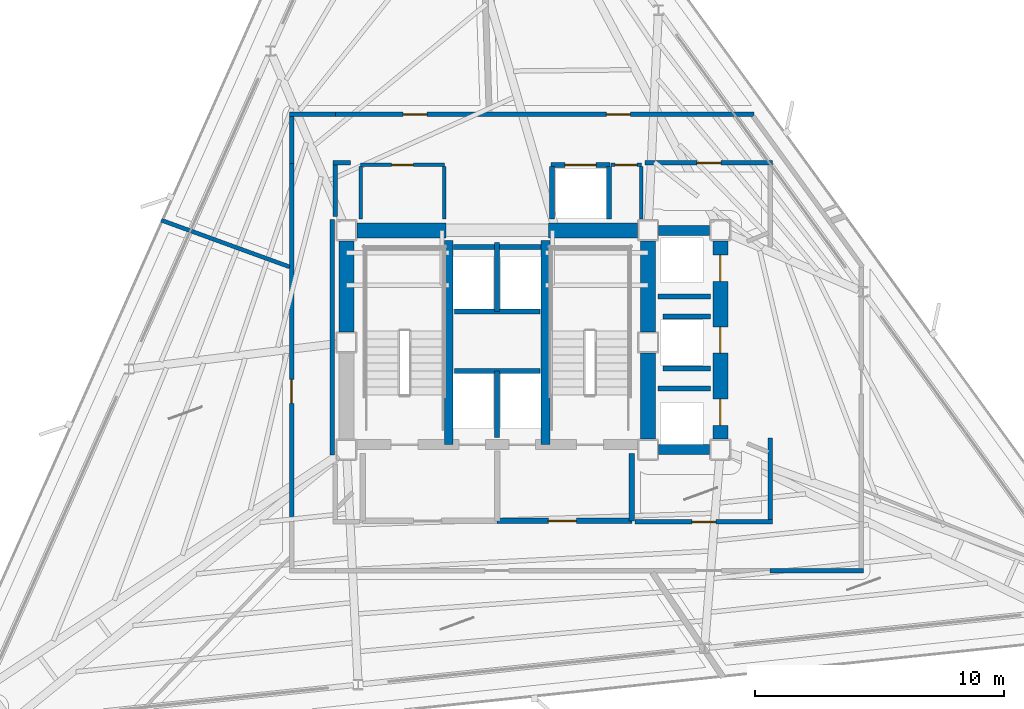
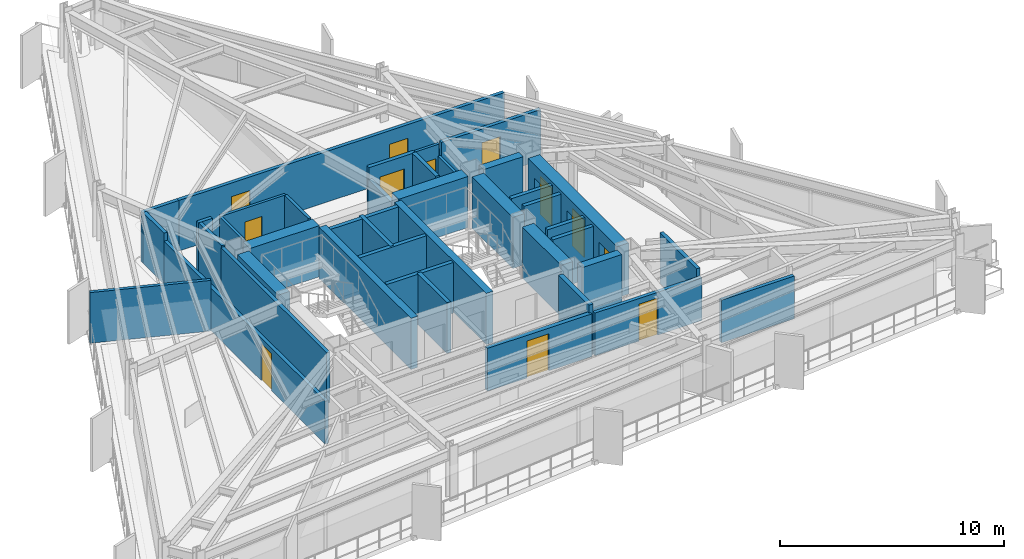
# One storey, part 8 of 13: 41 walls, 12 doors, 12 openings.
"""IFC4 building model written with IfcOpenShell, lengths in metres."""

from ifc_helpers import new_model, si_unit, direction, frame, frame_2d, origin, place, context, subcontext, project, spatial, rectangle, extrude, material, layer, layer_set, type_object, element, fill, save


model = new_model("IFC4")

# Units and contexts
model_context = context("Model", 3, precision=1e-05, world=origin(), true_north=direction((0.0, 1.0)))
body_context = subcontext(model_context, "Body", "Model", "MODEL_VIEW")
ifc_project = project(units=[si_unit("LENGTHUNIT", "METRE"), si_unit("AREAUNIT", "SQUARE_METRE"), si_unit("VOLUMEUNIT", "CUBIC_METRE"), si_unit("PLANEANGLEUNIT", "RADIAN"), si_unit("MASSUNIT", "GRAM", prefix="KILO")], contexts=[model_context])

# Site, building, storey
site_placement = place(None, origin())
site = spatial("IfcSite", under=ifc_project, at=site_placement, CompositionType="ELEMENT")
building_placement = place(site_placement, origin())
building = spatial("IfcBuilding", under=site, at=building_placement, Name="Rocaltana Carrier Exchange", CompositionType="ELEMENT")
storey_placement = place(building_placement, frame((0.0, 0.0, 119.840087890625)))
storey = spatial("IfcBuildingStorey", under=building, at=storey_placement, Name="L37", CompositionType="ELEMENT", Elevation=119.840087890625)

# Walls
ifc_material_1 = material(Name="Double Acoustic Gypsum Partition", Category="gypsum")
ifc_layer_1 = layer(ifc_material_1, 0.159912109375)
ifc_layer_set_1 = layer_set([ifc_layer_1], Name="Double Acoustic Gypsum Partition")
wall_type_1 = type_object("IfcWallType", Name="Acoustic Studio Partition 160 EI60", PredefinedType="PARTITIONING", material=ifc_layer_set_1)
wall_1_placement = place(storey_placement, frame((-8.330078125, 3.031982421875, 0.0), z_axis=(0.0, 0.0, 1.0), x_axis=(-0.939693198397, 0.342018556347, 0.0)))
element("IfcWall", 1, at=wall_1_placement, inside=storey, type_object=wall_type_1, Name="L37 Suite Divider Wall D10", PredefinedType="PARTITIONING", context=body_context, shape_type="SweptSolid", body=[
    extrude(rectangle(XDim=5.478515625, YDim=0.159912109375, at=frame_2d((2.7392578125, 0.0))), origin(), (0.0, 0.0, 1.0), 2.762939453125),
])
ifc_material_2 = material(Name="Concrete C50/60", Category="concrete")
ifc_layer_2 = layer(ifc_material_2, 0.35009765625)
ifc_layer_set_2 = layer_set([ifc_layer_2], Name="Concrete C50/60")
wall_type_2 = type_object("IfcWallType", Name="Core Internal Shear Wall 350", PredefinedType="SHEAR", material=ifc_layer_set_2)
for number, where, z_axis, x_axis, name in (
    (2, (-1.93994140625, -4.10009765625, 0.0), (0.0, 0.0, 1.0), (0.0, 1.0, 0.0), "L37 Core Shear Wall CW-STW"),
    (3, (1.93994140625, -4.10009765625, 0.0), (0.0, 0.0, 1.0), (0.0, 1.0, 0.0), "L37 Core Shear Wall CW-STE"),
):
    element("IfcWall", number, at=place(storey_placement, frame(where, z_axis=z_axis, x_axis=x_axis)), inside=storey, type_object=wall_type_2, Name=name, PredefinedType="SHEAR", context=body_context, shape_type="SweptSolid", body=[
        extrude(rectangle(XDim=8.2001953125, YDim=0.35009765625, at=frame_2d((4.10009765625, 0.0))), origin(), (0.0, 0.0, 1.0), 2.787841796875),
    ])
ifc_material_3 = material(Name="Concrete C50/60", Category="concrete")
ifc_layer_3 = layer(ifc_material_3, 0.39990234375)
ifc_layer_set_3 = layer_set([ifc_layer_3], Name="Concrete C50/60")
wall_type_3 = type_object("IfcWallType", Name="Core Internal Shear Wall 400", PredefinedType="SHEAR", material=ifc_layer_set_3)
for number, where, z_axis, x_axis, name in (
    (4, (6.47509765625, 4.5, 0.0), (0.0, 0.0, 1.0), (1.0, 0.0, 0.0), "L37 Core Shear Wall CW-EWN"),
    (5, (6.47509765625, -4.300048828125, 0.0), (0.0, 0.0, 1.0), (1.0, 0.0, 0.0), "L37 Core Shear Wall CW-EWS"),
):
    element("IfcWall", number, at=place(storey_placement, frame(where, z_axis=z_axis, x_axis=x_axis)), inside=storey, type_object=wall_type_3, Name=name, PredefinedType="SHEAR", context=body_context, shape_type="SweptSolid", body=[
        extrude(rectangle(XDim=2.0498046875, YDim=0.39990234375, at=frame_2d((1.02490234375, 0.0))), origin(), (0.0, 0.0, 1.0), 2.787841796875),
    ])
ifc_material_4 = material(Name="Concrete C50/60", Category="concrete")
ifc_layer_4 = layer(ifc_material_4, 0.60009765625)
ifc_layer_set_4 = layer_set([ifc_layer_4], Name="Concrete C50/60")
wall_type_4 = type_object("IfcWallType", Name="Core Shear Wall 600", PredefinedType="SHEAR", material=ifc_layer_set_4)
for number, where, z_axis, x_axis, name in (
    (6, (-6.050048828125, 0.425048828125, 0.0), (0.0, 0.0, 1.0), (0.0, 1.0, 0.0), "L37 Core Shear Wall CW-WN"),
    (7, (6.050048828125, 0.425048828125, 0.0), (0.0, 0.0, 1.0), (0.0, 1.0, 0.0), "L37 Core Shear Wall CW-EN"),
):
    element("IfcWall", number, at=place(storey_placement, frame(where, z_axis=z_axis, x_axis=x_axis)), inside=storey, type_object=wall_type_4, Name=name, PredefinedType="SHEAR", context=body_context, shape_type="SweptSolid", body=[
        extrude(rectangle(XDim=3.64990234375, YDim=0.60009765625, at=frame_2d((1.824951171875, 0.0))), origin(), (0.0, 0.0, 1.0), 2.787841796875),
    ])
wall_2_placement = place(storey_placement, frame((6.050048828125, -3.875, 0.0), z_axis=(0.0, 0.0, 1.0), x_axis=(0.0, 1.0, 0.0)))
element("IfcWall", 8, at=wall_2_placement, inside=storey, type_object=wall_type_4, Name="L37 Core Shear Wall CW-ES", PredefinedType="SHEAR", context=body_context, shape_type="SweptSolid", body=[
    extrude(rectangle(XDim=3.449951171875, YDim=0.60009765625, at=frame_2d((1.72509765625, 0.0))), origin(), (0.0, 0.0, 1.0), 2.787841796875),
])
for number, where, z_axis, x_axis, name in (
    (9, (-5.625, 4.5, 0.0), (0.0, 0.0, 1.0), (1.0, 0.0, 0.0), "L37 Core Shear Wall CW-N1"),
    (10, (2.050048828125, 4.5, 0.0), (0.0, 0.0, 1.0), (1.0, 0.0, 0.0), "L37 Core Shear Wall CW-N2"),
):
    element("IfcWall", number, at=place(storey_placement, frame(where, z_axis=z_axis, x_axis=x_axis)), inside=storey, type_object=wall_type_4, Name=name, PredefinedType="SHEAR", context=body_context, shape_type="SweptSolid", body=[
        extrude(rectangle(XDim=3.574951171875, YDim=0.60009765625, at=frame_2d((1.78759765625, 0.0))), origin(), (0.0, 0.0, 1.0), 2.787841796875),
    ])

# Wall, openings, doors
wall_3_placement = place(storey_placement, frame((8.949951171875, -3.875, 0.0), z_axis=(0.0, 0.0, 1.0), x_axis=(0.0, 1.0, 0.0)))
wall_3 = element("IfcWall", 11, at=wall_3_placement, inside=storey, type_object=wall_type_4, Name="L37 Core Shear Wall CW-EW", PredefinedType="SHEAR", context=body_context, shape_type="SweptSolid", body=[
    extrude(rectangle(XDim=7.949951171875, YDim=0.60009765625, at=frame_2d((3.97509765625, 0.0))), origin(), (0.0, 0.0, 1.0), 2.787841796875),
])
opening_1_placement = place(wall_3_placement, frame((0.550048828125, 0.0, 0.0)))
opening_1 = element("IfcOpeningElement", 12, at=opening_1_placement, cuts=wall_3, Name="Opening LD-110", PredefinedType="OPENING", context=body_context, shape_type="SweptSolid", body=[
    extrude(rectangle(XDim=1.06005859375, YDim=2.0400390625, at=frame_2d((0.530029296875, 1.02001953125))), frame((0.0, 0.31005859375, 0.0), z_axis=(0.0, -1.0, 0.0), x_axis=(1.0, 0.0, 0.0)), (0.0, 0.0, 1.0), 0.6201171875),
])
opening_2_placement = place(wall_3_placement, frame((3.445068359375, 0.0, 0.0)))
opening_2 = element("IfcOpeningElement", 13, at=opening_2_placement, cuts=wall_3, Name="Opening LD-110", PredefinedType="OPENING", context=body_context, shape_type="SweptSolid", body=[
    extrude(rectangle(XDim=1.06005859375, YDim=2.0400390625, at=frame_2d((0.530029296875, 1.02001953125))), frame((0.0, 0.31005859375, 0.0), z_axis=(0.0, -1.0, 0.0), x_axis=(1.0, 0.0, 0.0)), (0.0, 0.0, 1.0), 0.6201171875),
])
opening_3_placement = place(wall_3_placement, frame((6.330078125, 0.0, 0.0)))
opening_3 = element("IfcOpeningElement", 14, at=opening_3_placement, cuts=wall_3, Name="Opening LD-110", PredefinedType="OPENING", context=body_context, shape_type="SweptSolid", body=[
    extrude(rectangle(XDim=1.06005859375, YDim=2.0400390625, at=frame_2d((0.530029296875, 1.02001953125))), frame((0.0, 0.31005859375, 0.0), z_axis=(0.0, -1.0, 0.0), x_axis=(1.0, 0.0, 0.0)), (0.0, 0.0, 1.0), 0.6201171875),
])
ifc_material_5 = material(Name="Brushed Stainless Sliding Door Leaf", Category="steel")
door_type_1 = type_object("IfcDoorType", Name="Lift Landing Sliding Door 1060x2040", OperationType="NOTDEFINED", PredefinedType="DOOR", material=ifc_material_5)
door_1_placement = place(opening_1_placement, origin())
door_1 = element("IfcDoor", 15, at=door_1_placement, inside=storey, type_object=door_type_1, Name="L37 Mid-Rise Lift PL-M1 Landing Door", OperationType="SLIDING_TO_LEFT", OverallHeight=2.0400390625, OverallWidth=1.06005859375, PredefinedType="DOOR", context=body_context, shape_type="SweptSolid", body=[
    extrude(rectangle(XDim=1.06005859375, YDim=2.0400390625, at=frame_2d((0.530029296875, 1.02001953125))), frame((0.0, 0.02490234375, 0.0), z_axis=(0.0, -1.0, 0.0), x_axis=(1.0, 0.0, 0.0)), (0.0, 0.0, 1.0), 0.050048828125),
])
fill(opening_1, door_1)
door_2_placement = place(opening_2_placement, origin())
door_2 = element("IfcDoor", 16, at=door_2_placement, inside=storey, type_object=door_type_1, Name="L37 Mid-Rise Lift PL-M2 Landing Door", OperationType="SLIDING_TO_RIGHT", OverallHeight=2.0400390625, OverallWidth=1.06005859375, PredefinedType="DOOR", context=body_context, shape_type="SweptSolid", body=[
    extrude(rectangle(XDim=1.06005859375, YDim=2.0400390625, at=frame_2d((0.530029296875, 1.02001953125))), frame((0.0, 0.02490234375, 0.0), z_axis=(0.0, -1.0, 0.0), x_axis=(1.0, 0.0, 0.0)), (0.0, 0.0, 1.0), 0.050048828125),
])
fill(opening_2, door_2)
door_3_placement = place(opening_3_placement, origin())
door_3 = element("IfcDoor", 17, at=door_3_placement, inside=storey, type_object=door_type_1, Name="L37 Mid-Rise Lift PL-M3 Landing Door", OperationType="SLIDING_TO_LEFT", OverallHeight=2.0400390625, OverallWidth=1.06005859375, PredefinedType="DOOR", context=body_context, shape_type="SweptSolid", body=[
    extrude(rectangle(XDim=1.06005859375, YDim=2.0400390625, at=frame_2d((0.530029296875, 1.02001953125))), frame((0.0, 0.02490234375, 0.0), z_axis=(0.0, -1.0, 0.0), x_axis=(1.0, 0.0, 0.0)), (0.0, 0.0, 1.0), 0.050048828125),
])
fill(opening_3, door_3)

# Wall, opening, door
ifc_material_6 = material(Name="Gypsum & Steel Stud Partition", Category="steel")
ifc_layer_5 = layer(ifc_material_6, 0.179931640625)
ifc_layer_set_5 = layer_set([ifc_layer_5], Name="Gypsum & Steel Stud Partition")
wall_type_5 = type_object("IfcWallType", Name="Corridor Fire Partition 180 EI60", PredefinedType="PARTITIONING", material=ifc_layer_set_5)
wall_4_placement = place(storey_placement, frame((-8.25, -7.219970703125, 0.0), z_axis=(0.0, 0.0, 1.0), x_axis=(0.0, 1.0, 0.0)))
wall_4 = element("IfcWall", 18, at=wall_4_placement, inside=storey, type_object=wall_type_5, Name="L37 Corridor Partition 3", PredefinedType="PARTITIONING", context=body_context, shape_type="SweptSolid", body=[
    extrude(rectangle(XDim=14.43994140625, YDim=0.179931640625, at=frame_2d((7.219970703125, 0.0))), origin(), (0.0, 0.0, 1.0), 2.329833984375),
])
opening_4_placement = place(wall_4_placement, frame((4.77490234375, 0.0, 0.0)))
opening_4 = element("IfcOpeningElement", 19, at=opening_4_placement, cuts=wall_4, Name="Opening D-RM098", PredefinedType="OPENING", context=body_context, shape_type="SweptSolid", body=[
    extrude(rectangle(XDim=0.9599609375, YDim=2.02001953125, at=frame_2d((0.47998046875, 1.010009765625))), frame((0.0, 0.099853515625, 0.0), z_axis=(0.0, -1.0, 0.0), x_axis=(1.0, 0.0, 0.0)), (0.0, 0.0, 1.0), 0.199951171875),
])
ifc_material_7 = material(Name="Engineered Hardwood Timber", Category="wood")
door_type_2 = type_object("IfcDoorType", Name="Workspace Single Door 960x2020", OperationType="NOTDEFINED", PredefinedType="DOOR", material=ifc_material_7)
door_4_placement = place(opening_4_placement, origin())
door_4 = element("IfcDoor", 20, at=door_4_placement, inside=storey, type_object=door_type_2, Name="L37 Quiet Focus Lounge Entrance Door", OperationType="SINGLE_SWING_LEFT", OverallHeight=2.02001953125, OverallWidth=0.9599609375, PredefinedType="DOOR", context=body_context, shape_type="SweptSolid", body=[
    extrude(rectangle(XDim=0.9599609375, YDim=2.02001953125, at=frame_2d((0.47998046875, 1.010009765625))), frame((0.0, 0.02490234375, 0.0), z_axis=(0.0, -1.0, 0.0), x_axis=(1.0, 0.0, 0.0)), (0.0, 0.0, 1.0), 0.050048828125),
])
fill(opening_4, door_4)

# Walls
wall_5_placement = place(storey_placement, frame((-8.25, 7.179931640625, 0.0), z_axis=(0.0, 0.0, 1.0), x_axis=(0.0, 1.0, 0.0)))
element("IfcWall", 21, at=wall_5_placement, inside=storey, type_object=wall_type_5, Name="L37 Corridor Partition 4", PredefinedType="PARTITIONING", context=body_context, shape_type="SweptSolid", body=[
    extrude(rectangle(XDim=1.880126953125, YDim=0.179931640625, at=frame_2d((0.93994140625, 0.0))), origin(), (0.0, 0.0, 1.0), 2.762939453125),
])
wall_6_placement = place(storey_placement, frame((-8.340087890625, 9.14990234375, 0.0), z_axis=(0.0, 0.0, 1.0), x_axis=(1.0, 0.0, 0.0)))
element("IfcWall", 22, at=wall_6_placement, inside=storey, type_object=wall_type_5, Name="L37 Corridor Partition 5", PredefinedType="PARTITIONING", context=body_context, shape_type="SweptSolid", body=[
    extrude(rectangle(XDim=1.860107421875, YDim=0.179931640625, at=frame_2d((0.93017578125, 0.0))), origin(), (0.0, 0.0, 1.0), 2.762939453125),
])

# Wall, openings, doors
wall_7_placement = place(storey_placement, frame((-6.52001953125, 9.14990234375, 0.0), z_axis=(0.0, 0.0, 1.0), x_axis=(1.0, 0.0, 0.0)))
wall_7 = element("IfcWall", 23, at=wall_7_placement, inside=storey, type_object=wall_type_5, Name="L37 Corridor Partition 6", PredefinedType="PARTITIONING", context=body_context, shape_type="SweptSolid", body=[
    extrude(rectangle(XDim=16.820068359375, YDim=0.179931640625, at=frame_2d((8.41015625, 0.0))), origin(), (0.0, 0.0, 1.0), 2.762939453125),
])
opening_5_placement = place(wall_7_placement, frame((10.8984375, 0.0, 0.0)))
opening_5 = element("IfcOpeningElement", 24, at=opening_5_placement, cuts=wall_7, Name="Opening D-RM098", PredefinedType="OPENING", context=body_context, shape_type="SweptSolid", body=[
    extrude(rectangle(XDim=0.9599609375, YDim=2.02001953125, at=frame_2d((0.47998046875, 1.010009765625))), frame((0.0, 0.099853515625, 0.0), z_axis=(0.0, -1.0, 0.0), x_axis=(1.0, 0.0, 0.0)), (0.0, 0.0, 1.0), 0.199951171875),
])
opening_6_placement = place(wall_7_placement, frame((2.7490234375, 0.0, 0.0)))
opening_6 = element("IfcOpeningElement", 25, at=opening_6_placement, cuts=wall_7, Name="Opening D-RM098", PredefinedType="OPENING", context=body_context, shape_type="SweptSolid", body=[
    extrude(rectangle(XDim=0.9599609375, YDim=2.02001953125, at=frame_2d((0.47998046875, 1.010009765625))), frame((0.0, 0.099853515625, 0.0), z_axis=(0.0, -1.0, 0.0), x_axis=(1.0, 0.0, 0.0)), (0.0, 0.0, 1.0), 0.199951171875),
])
door_5_placement = place(opening_5_placement, origin())
door_5 = element("IfcDoor", 26, at=door_5_placement, inside=storey, type_object=door_type_2, Name="L37 Quiet Focus Lounge Entrance Door", OperationType="SINGLE_SWING_LEFT", OverallHeight=2.02001953125, OverallWidth=0.9599609375, PredefinedType="DOOR", context=body_context, shape_type="SweptSolid", body=[
    extrude(rectangle(XDim=0.9599609375, YDim=2.02001953125, at=frame_2d((0.47998046875, 1.010009765625))), frame((0.0, 0.02490234375, 0.0), z_axis=(0.0, -1.0, 0.0), x_axis=(1.0, 0.0, 0.0)), (0.0, 0.0, 1.0), 0.050048828125),
])
fill(opening_5, door_5)
door_6_placement = place(opening_6_placement, origin())
door_6 = element("IfcDoor", 27, at=door_6_placement, inside=storey, type_object=door_type_2, Name="L37 Quiet Focus Lounge Entrance Door", OperationType="SINGLE_SWING_RIGHT", OverallHeight=2.02001953125, OverallWidth=0.9599609375, PredefinedType="DOOR", context=body_context, shape_type="SweptSolid", body=[
    extrude(rectangle(XDim=0.9599609375, YDim=2.02001953125, at=frame_2d((0.47998046875, 1.010009765625))), frame((0.0, 0.02490234375, 0.0), z_axis=(0.0, -1.0, 0.0), x_axis=(1.0, 0.0, 0.0)), (0.0, 0.0, 1.0), 0.050048828125),
])
fill(opening_6, door_6)

# Wall
wall_8_placement = place(storey_placement, frame((14.68994140625, -9.14990234375, 0.0), z_axis=(0.0, 0.0, 1.0), x_axis=(-1.0, 0.0, 0.0)))
element("IfcWall", 28, at=wall_8_placement, inside=storey, type_object=wall_type_5, Name="L37 Corridor Partition 10", PredefinedType="PARTITIONING", context=body_context, shape_type="SweptSolid", body=[
    extrude(rectangle(XDim=3.75, YDim=0.179931640625, at=frame_2d((1.875, 0.0))), origin(), (0.0, 0.0, 1.0), 2.329833984375),
])

# Wall, opening, door
wall_9_placement = place(storey_placement, frame((5.530029296875, -7.199951171875, 0.0), z_axis=(0.0, 0.0, 1.0), x_axis=(1.0, 0.0, 0.0)))
wall_9 = element("IfcWall", 29, at=wall_9_placement, inside=storey, type_object=wall_type_5, Name="L37 Corridor Partition 12", PredefinedType="PARTITIONING", context=body_context, shape_type="SweptSolid", body=[
    extrude(rectangle(XDim=5.52001953125, YDim=0.179931640625, at=frame_2d((2.760009765625, 0.0))), origin(), (0.0, 0.0, 1.0), 2.329833984375),
])
opening_7_placement = place(wall_9_placement, frame((2.280029296875, 0.0, 0.0)))
opening_7 = element("IfcOpeningElement", 30, at=opening_7_placement, cuts=wall_9, Name="Opening D-RM098", PredefinedType="OPENING", context=body_context, shape_type="SweptSolid", body=[
    extrude(rectangle(XDim=0.9599609375, YDim=2.02001953125, at=frame_2d((0.47998046875, 1.010009765625))), frame((0.0, 0.099853515625, 0.0), z_axis=(0.0, -1.0, 0.0), x_axis=(1.0, 0.0, 0.0)), (0.0, 0.0, 1.0), 0.199951171875),
])
door_7_placement = place(opening_7_placement, origin())
door_7 = element("IfcDoor", 31, at=door_7_placement, inside=storey, type_object=door_type_2, Name="L37 Cloud Architecture Office Entrance Door", OperationType="SINGLE_SWING_LEFT", OverallHeight=2.02001953125, OverallWidth=0.9599609375, PredefinedType="DOOR", context=body_context, shape_type="SweptSolid", body=[
    extrude(rectangle(XDim=0.9599609375, YDim=2.02001953125, at=frame_2d((0.47998046875, 1.010009765625))), frame((0.0, 0.02490234375, 0.0), z_axis=(0.0, -1.0, 0.0), x_axis=(1.0, 0.0, 0.0)), (0.0, 0.0, 1.0), 0.050048828125),
])
fill(opening_7, door_7)

# Wall
wall_10_placement = place(storey_placement, frame((10.9599609375, -7.110107421875, 0.0), z_axis=(0.0, 0.0, 1.0), x_axis=(0.0, 1.0, 0.0)))
element("IfcWall", 32, at=wall_10_placement, inside=storey, type_object=wall_type_5, Name="L37 Corridor Partition 13", PredefinedType="PARTITIONING", context=body_context, shape_type="SweptSolid", body=[
    extrude(rectangle(XDim=3.2705078125, YDim=0.179931640625, at=frame_2d((1.63525390625, 0.0))), origin(), (0.0, 0.0, 1.0), 2.762939453125),
])

# Wall, opening, door
wall_11_placement = place(storey_placement, frame((11.050048828125, 7.199951171875, 0.0), z_axis=(0.0, 0.0, 1.0), x_axis=(-1.0, 0.0, 0.0)))
wall_11 = element("IfcWall", 33, at=wall_11_placement, inside=storey, type_object=wall_type_5, Name="L37 Corridor Partition 15", PredefinedType="PARTITIONING", context=body_context, shape_type="SweptSolid", body=[
    extrude(rectangle(XDim=5.1201171875, YDim=0.179931640625, at=frame_2d((2.56005859375, 0.0))), origin(), (0.0, 0.0, 1.0), 2.762939453125),
])
opening_8_placement = place(wall_11_placement, frame((2.080078125, 0.0, 0.0)))
opening_8 = element("IfcOpeningElement", 34, at=opening_8_placement, cuts=wall_11, Name="Opening D-RM098", PredefinedType="OPENING", context=body_context, shape_type="SweptSolid", body=[
    extrude(rectangle(XDim=0.9599609375, YDim=2.02001953125, at=frame_2d((0.47998046875, 1.010009765625))), frame((0.0, 0.099853515625, 0.0), z_axis=(0.0, -1.0, 0.0), x_axis=(1.0, 0.0, 0.0)), (0.0, 0.0, 1.0), 0.199951171875),
])
door_8_placement = place(opening_8_placement, origin())
door_8 = element("IfcDoor", 35, at=door_8_placement, inside=storey, type_object=door_type_2, Name="L37 Peering Conference Room Entrance Door", OperationType="SINGLE_SWING_RIGHT", OverallHeight=2.02001953125, OverallWidth=0.9599609375, PredefinedType="DOOR", context=body_context, shape_type="SweptSolid", body=[
    extrude(rectangle(XDim=0.9599609375, YDim=2.02001953125, at=frame_2d((0.47998046875, 1.010009765625))), frame((0.0, 0.02490234375, 0.0), z_axis=(0.0, -1.0, 0.0), x_axis=(1.0, 0.0, 0.0)), (0.0, 0.0, 1.0), 0.050048828125),
])
fill(opening_8, door_8)

# Walls
wall_12_placement = place(storey_placement, frame((-5.8798828125, 7.199951171875, 0.0), z_axis=(0.0, 0.0, 1.0), x_axis=(-1.0, 0.0, 0.0)))
element("IfcWall", 36, at=wall_12_placement, inside=storey, type_object=wall_type_5, Name="L37 Corridor Partition 16", PredefinedType="PARTITIONING", context=body_context, shape_type="SweptSolid", body=[
    extrude(rectangle(XDim=0.710205078125, YDim=0.179931640625, at=frame_2d((0.35498046875, 0.0))), origin(), (0.0, 0.0, 1.0), 2.762939453125),
])
wall_13_placement = place(storey_placement, frame((-6.5, 7.110107421875, 0.0), z_axis=(0.0, 0.0, 1.0), x_axis=(0.0, -1.0, 0.0)))
element("IfcWall", 37, at=wall_13_placement, inside=storey, type_object=wall_type_5, Name="L37 Corridor Partition 17", PredefinedType="PARTITIONING", context=body_context, shape_type="SweptSolid", body=[
    extrude(rectangle(XDim=2.058349609375, YDim=0.179931640625, at=frame_2d((1.029296875, 0.0))), origin(), (0.0, 0.0, 1.0), 2.762939453125),
])
wall_14_placement = place(storey_placement, frame((-6.610107421875, 4.93994140625, 0.0), z_axis=(0.0, 0.0, 1.0), x_axis=(0.0, -1.0, 0.0)))
element("IfcWall", 38, at=wall_14_placement, inside=storey, type_object=wall_type_5, Name="L37 Corridor Partition 18", PredefinedType="PARTITIONING", context=body_context, shape_type="SweptSolid", body=[
    extrude(rectangle(XDim=9.4599609375, YDim=0.179931640625, at=frame_2d((4.72998046875, 0.0))), origin(), (0.0, 0.0, 1.0), 2.762939453125),
])
ifc_material_8 = material(Name="Autoclaved Aerated Concrete C30/37", Category="concrete")
ifc_layer_6 = layer(ifc_material_8, 0.219970703125)
ifc_layer_set_6 = layer_set([ifc_layer_6], Name="Autoclaved Aerated Concrete C30/37")
wall_type_6 = type_object("IfcWallType", Name="Firefighting Lobby Wall 220 EI120", PredefinedType="PARTITIONING", material=ifc_layer_set_6)
wall_15_placement = place(storey_placement, frame((5.39990234375, -7.159912109375, 0.0), z_axis=(0.0, 0.0, 1.0), x_axis=(0.0, 1.0, 0.0)))
element("IfcWall", 39, at=wall_15_placement, inside=storey, type_object=wall_type_6, Name="L37 FFL Lobby 2 East Wall", PredefinedType="PARTITIONING", context=body_context, shape_type="SweptSolid", body=[
    extrude(rectangle(XDim=2.7099609375, YDim=0.219970703125, at=frame_2d((1.35498046875, 0.0))), origin(), (0.0, 0.0, 1.0), 2.762939453125),
])

# Wall, opening, door
wall_16_placement = place(storey_placement, frame((0.0, -7.159912109375, 0.0), z_axis=(0.0, 0.0, 1.0), x_axis=(1.0, 0.0, 0.0)))
wall_16 = element("IfcWall", 40, at=wall_16_placement, inside=storey, type_object=wall_type_6, Name="L37 FFL Lobby 2 South Wall", PredefinedType="PARTITIONING", context=body_context, shape_type="SweptSolid", body=[
    extrude(rectangle(XDim=5.39990234375, YDim=0.219970703125, at=frame_2d((2.699951171875, 0.0))), origin(), (0.0, 0.0, 1.0), 2.329833984375),
])
opening_9_placement = place(wall_16_placement, frame((2.050048828125, 0.0, 0.0)))
opening_9 = element("IfcOpeningElement", 41, at=opening_9_placement, cuts=wall_16, Name="Opening D-FF115", PredefinedType="OPENING", context=body_context, shape_type="SweptSolid", body=[
    extrude(rectangle(XDim=1.1201171875, YDim=2.02001953125, at=frame_2d((0.56005859375, 1.010009765625))), frame((0.0, 0.119873046875, 0.0), z_axis=(0.0, -1.0, 0.0), x_axis=(1.0, 0.0, 0.0)), (0.0, 0.0, 1.0), 0.239990234375),
])
ifc_material_9 = material(Name="Hollow Metal Fire Door Assembly", Category="steel")
door_type_3 = type_object("IfcDoorType", Name="Firefighting Lobby Door 1120x2020 FD60S", OperationType="NOTDEFINED", PredefinedType="DOOR", material=ifc_material_9)
door_9_placement = place(opening_9_placement, origin())
door_9 = element("IfcDoor", 42, at=door_9_placement, inside=storey, type_object=door_type_3, Name="L37 Firefighting Lift Lobby 2 Door", OperationType="SINGLE_SWING_RIGHT", OverallHeight=2.02001953125, OverallWidth=1.1201171875, PredefinedType="DOOR", context=body_context, shape_type="SweptSolid", body=[
    extrude(rectangle(XDim=1.1201171875, YDim=2.02001953125, at=frame_2d((0.56005859375, 1.010009765625))), frame((0.0, 0.02490234375, 0.0), z_axis=(0.0, -1.0, 0.0), x_axis=(1.0, 0.0, 0.0)), (0.0, 0.0, 1.0), 0.050048828125),
])
fill(opening_9, door_9)

# Walls
ifc_material_10 = material(Name="Reinforced Concrete Block C35/45", Category="concrete")
ifc_layer_7 = layer(ifc_material_10, 0.199951171875)
ifc_layer_set_7 = layer_set([ifc_layer_7], Name="Reinforced Concrete Block C35/45")
wall_type_7 = type_object("IfcWallType", Name="Lift Hoistway Enclosure Wall 200 EI120", PredefinedType="PARTITIONING", material=ifc_layer_set_7)
wall_17_placement = place(storey_placement, frame((0.0, -3.820068359375, 0.0), z_axis=(0.0, 0.0, 1.0), x_axis=(0.0, 1.0, 0.0)))
element("IfcWall", 43, at=wall_17_placement, inside=storey, type_object=wall_type_7, Name="L37 FFL Shaft Divider", PredefinedType="PARTITIONING", context=body_context, shape_type="SweptSolid", body=[
    extrude(rectangle(XDim=2.670166015625, YDim=0.199951171875, at=frame_2d((1.3349609375, 0.0))), origin(), (0.0, 0.0, 1.0), 2.762939453125),
])
wall_18_placement = place(storey_placement, frame((-1.719970703125, -1.14990234375, 0.0), z_axis=(0.0, 0.0, 1.0), x_axis=(1.0, 0.0, 0.0)))
element("IfcWall", 44, at=wall_18_placement, inside=storey, type_object=wall_type_7, Name="L37 FFL Shaft Back Wall", PredefinedType="PARTITIONING", context=body_context, shape_type="SweptSolid", body=[
    extrude(rectangle(XDim=3.43994140625, YDim=0.199951171875, at=frame_2d((1.719970703125, 0.0))), origin(), (0.0, 0.0, 1.0), 2.762939453125),
])
wall_19_placement = place(storey_placement, frame((0.0, 1.25, 0.0), z_axis=(0.0, 0.0, 1.0), x_axis=(0.0, 1.0, 0.0)))
element("IfcWall", 45, at=wall_19_placement, inside=storey, type_object=wall_type_7, Name="L37 High-Rise Shaft Divider", PredefinedType="PARTITIONING", context=body_context, shape_type="SweptSolid", body=[
    extrude(rectangle(XDim=2.77001953125, YDim=0.199951171875, at=frame_2d((1.385009765625, 0.0))), origin(), (0.0, 0.0, 1.0), 2.762939453125),
])
wall_20_placement = place(storey_placement, frame((-1.719970703125, 1.25, 0.0), z_axis=(0.0, 0.0, 1.0), x_axis=(1.0, 0.0, 0.0)))
element("IfcWall", 46, at=wall_20_placement, inside=storey, type_object=wall_type_7, Name="L37 High-Rise Shaft Back Wall", PredefinedType="PARTITIONING", context=body_context, shape_type="SweptSolid", body=[
    extrude(rectangle(XDim=3.43994140625, YDim=0.199951171875, at=frame_2d((1.719970703125, 0.0))), origin(), (0.0, 0.0, 1.0), 2.762939453125),
])
wall_21_placement = place(storey_placement, frame((-1.760009765625, 3.820068359375, 0.0), z_axis=(0.0, 0.0, 1.0), x_axis=(1.0, 0.0, 0.0)))
element("IfcWall", 47, at=wall_21_placement, inside=storey, type_object=wall_type_7, Name="L37 High-Rise Lift Front Wall", PredefinedType="PARTITIONING", context=body_context, shape_type="SweptSolid", body=[
    extrude(rectangle(XDim=3.52001953125, YDim=0.199951171875, at=frame_2d((1.760009765625, 0.0))), origin(), (0.0, 0.0, 1.0), 2.762939453125),
])
wall_22_placement = place(storey_placement, frame((2.199951171875, 4.949951171875, 0.0), z_axis=(0.0, 0.0, 1.0), x_axis=(0.0, 1.0, 0.0)))
element("IfcWall", 48, at=wall_22_placement, inside=storey, type_object=wall_type_7, Name="L37 Goods Lift West Wall", PredefinedType="PARTITIONING", context=body_context, shape_type="SweptSolid", body=[
    extrude(rectangle(XDim=2.10009765625, YDim=0.199951171875, at=frame_2d((1.050048828125, 0.0))), origin(), (0.0, 0.0, 1.0), 2.1318359375),
])
wall_23_placement = place(storey_placement, frame((4.47998046875, 4.949951171875, 0.0), z_axis=(0.0, 0.0, 1.0), x_axis=(0.0, 1.0, 0.0)))
element("IfcWall", 49, at=wall_23_placement, inside=storey, type_object=wall_type_7, Name="L37 Goods Lift East Wall", PredefinedType="PARTITIONING", context=body_context, shape_type="SweptSolid", body=[
    extrude(rectangle(XDim=2.10009765625, YDim=0.199951171875, at=frame_2d((1.050048828125, 0.0))), origin(), (0.0, 0.0, 1.0), 2.762939453125),
])

# Wall, opening, door
wall_24_placement = place(storey_placement, frame((2.14990234375, 7.1201171875, 0.0), z_axis=(0.0, 0.0, 1.0), x_axis=(1.0, 0.0, 0.0)))
wall_24 = element("IfcWall", 50, at=wall_24_placement, inside=storey, type_object=wall_type_7, Name="L37 Goods Lift Front Wall", PredefinedType="PARTITIONING", context=body_context, shape_type="SweptSolid", body=[
    extrude(rectangle(XDim=2.380126953125, YDim=0.199951171875, at=frame_2d((1.18994140625, 0.0))), origin(), (0.0, 0.0, 1.0), 2.762939453125),
])
opening_10_placement = place(wall_24_placement, frame((0.56005859375, 0.0, 0.0)))
opening_10 = element("IfcOpeningElement", 51, at=opening_10_placement, cuts=wall_24, Name="Opening LD-130", PredefinedType="OPENING", context=body_context, shape_type="SweptSolid", body=[
    extrude(rectangle(XDim=1.260009765625, YDim=2.06005859375, at=frame_2d((0.6298828125, 1.030029296875))), frame((0.0, 0.10986328125, 0.0), z_axis=(0.0, -1.0, 0.0), x_axis=(1.0, 0.0, 0.0)), (0.0, 0.0, 1.0), 0.219970703125),
])
ifc_material_11 = material(Name="Brushed Stainless Sliding Door Leaf", Category="steel")
door_type_4 = type_object("IfcDoorType", Name="Goods Lift Landing Sliding Door 1260x2060", OperationType="NOTDEFINED", PredefinedType="DOOR", material=ifc_material_11)
door_10_placement = place(opening_10_placement, origin())
door_10 = element("IfcDoor", 52, at=door_10_placement, inside=storey, type_object=door_type_4, Name="L37 Goods Lift GL-1 Landing Door", OperationType="SLIDING_TO_LEFT", OverallHeight=2.06005859375, OverallWidth=1.260009765625, PredefinedType="DOOR", context=body_context, shape_type="SweptSolid", body=[
    extrude(rectangle(XDim=1.260009765625, YDim=2.06005859375, at=frame_2d((0.6298828125, 1.030029296875))), frame((0.0, 0.02490234375, 0.0), z_axis=(0.0, -1.0, 0.0), x_axis=(1.0, 0.0, 0.0)), (0.0, 0.0, 1.0), 0.050048828125),
])
fill(opening_10, door_10)

# Walls
for number, where, z_axis, x_axis, name in (
    (53, (6.449951171875, -1.85009765625, 0.0), (0.0, 0.0, 1.0), (1.0, 0.0, 0.0), "L37 Mid-Rise Shaft Divider 1"),
    (54, (6.449951171875, 1.85009765625, 0.0), (0.0, 0.0, 1.0), (1.0, 0.0, 0.0), "L37 Mid-Rise Shaft Divider 2"),
):
    element("IfcWall", number, at=place(storey_placement, frame(where, z_axis=z_axis, x_axis=x_axis)), inside=storey, type_object=wall_type_7, Name=name, PredefinedType="PARTITIONING", context=body_context, shape_type="SweptSolid", body=[
        extrude(rectangle(XDim=2.10009765625, YDim=0.199951171875, at=frame_2d((1.050048828125, 0.0))), origin(), (0.0, 0.0, 1.0), 2.762939453125),
    ])
for number, where, z_axis, x_axis, name in (
    (55, (6.639892578125, -1.050048828125, 0.0), (0.0, 0.0, 1.0), (1.0, 0.0, 0.0), "L37 Mid-Rise Center Shaft Wall South"),
    (56, (6.639892578125, 1.050048828125, 0.0), (0.0, 0.0, 1.0), (1.0, 0.0, 0.0), "L37 Mid-Rise Center Shaft Wall North"),
):
    element("IfcWall", number, at=place(storey_placement, frame(where, z_axis=z_axis, x_axis=x_axis)), inside=storey, type_object=wall_type_7, Name=name, PredefinedType="PARTITIONING", context=body_context, shape_type="SweptSolid", body=[
        extrude(rectangle(XDim=1.91015625, YDim=0.199951171875, at=frame_2d((0.955078125, 0.0))), origin(), (0.0, 0.0, 1.0), 2.762939453125),
    ])
ifc_material_12 = material(Name="Moisture-Resistant Masonry C30/37", Category="masonry")
ifc_layer_8 = layer(ifc_material_12, 0.139892578125)
ifc_layer_set_8 = layer_set([ifc_layer_8], Name="Moisture-Resistant Masonry C30/37")
wall_type_8 = type_object("IfcWallType", Name="Wet-Area Sanitary Partition 140", PredefinedType="PARTITIONING", material=ifc_layer_set_8)
for number, where, z_axis, x_axis, name in (
    (57, (-5.47998046875, 4.949951171875, 0.0), (0.0, 0.0, 1.0), (0.0, 1.0, 0.0), "L37 Sanitary West Wall"),
    (58, (-2.1201171875, 4.949951171875, 0.0), (0.0, 0.0, 1.0), (0.0, 1.0, 0.0), "L37 Sanitary East Wall"),
):
    element("IfcWall", number, at=place(storey_placement, frame(where, z_axis=z_axis, x_axis=x_axis)), inside=storey, type_object=wall_type_8, Name=name, PredefinedType="PARTITIONING", context=body_context, shape_type="SweptSolid", body=[
        extrude(rectangle(XDim=2.10009765625, YDim=0.139892578125, at=frame_2d((1.050048828125, 0.0))), origin(), (0.0, 0.0, 1.0), 2.762939453125),
    ])

# Wall, opening, door
wall_25_placement = place(storey_placement, frame((-5.47998046875, 7.1201171875, 0.0), z_axis=(0.0, 0.0, 1.0), x_axis=(1.0, 0.0, 0.0)))
wall_25 = element("IfcWall", 59, at=wall_25_placement, inside=storey, type_object=wall_type_8, Name="L37 Sanitary North Wall", PredefinedType="PARTITIONING", context=body_context, shape_type="SweptSolid", body=[
    extrude(rectangle(XDim=3.35986328125, YDim=0.139892578125, at=frame_2d((1.679931640625, 0.0))), origin(), (0.0, 0.0, 1.0), 2.762939453125),
])
opening_11_placement = place(wall_25_placement, frame((1.239990234375, 0.0, 0.0)))
opening_11 = element("IfcOpeningElement", 60, at=opening_11_placement, cuts=wall_25, Name="Opening D-WC090", PredefinedType="OPENING", context=body_context, shape_type="SweptSolid", body=[
    extrude(rectangle(XDim=0.8798828125, YDim=2.02001953125, at=frame_2d((0.43994140625, 1.010009765625))), frame((0.0, 0.079833984375, 0.0), z_axis=(0.0, -1.0, 0.0), x_axis=(1.0, 0.0, 0.0)), (0.0, 0.0, 1.0), 0.159912109375),
])
ifc_material_13 = material(Name="High-Pressure Laminate Timber", Category="wood")
door_type_5 = type_object("IfcDoorType", Name="Restroom & Accessible WC Door 880x2020", OperationType="NOTDEFINED", PredefinedType="DOOR", material=ifc_material_13)
door_11_placement = place(opening_11_placement, origin())
door_11 = element("IfcDoor", 61, at=door_11_placement, inside=storey, type_object=door_type_5, Name="L37 Accessible Toilet Door", OperationType="SINGLE_SWING_LEFT", OverallHeight=2.02001953125, OverallWidth=0.8798828125, PredefinedType="DOOR", context=body_context, shape_type="SweptSolid", body=[
    extrude(rectangle(XDim=0.8798828125, YDim=2.02001953125, at=frame_2d((0.43994140625, 1.010009765625))), frame((0.0, 0.02490234375, 0.0), z_axis=(0.0, -1.0, 0.0), x_axis=(1.0, 0.0, 0.0)), (0.0, 0.0, 1.0), 0.050048828125),
])
fill(opening_11, door_11)

# Wall
wall_26_placement = place(storey_placement, frame((5.780029296875, 4.949951171875, 0.0), z_axis=(0.0, 0.0, 1.0), x_axis=(0.0, 1.0, 0.0)))
element("IfcWall", 62, at=wall_26_placement, inside=storey, type_object=wall_type_8, Name="L37 Restroom East Wall", PredefinedType="PARTITIONING", context=body_context, shape_type="SweptSolid", body=[
    extrude(rectangle(XDim=2.10009765625, YDim=0.139892578125, at=frame_2d((1.050048828125, 0.0))), origin(), (0.0, 0.0, 1.0), 2.1318359375),
])

# Wall, opening, door
wall_27_placement = place(storey_placement, frame((4.56005859375, 7.1201171875, 0.0), z_axis=(0.0, 0.0, 1.0), x_axis=(1.0, 0.0, 0.0)))
wall_27 = element("IfcWall", 63, at=wall_27_placement, inside=storey, type_object=wall_type_8, Name="L37 Restroom North Wall", PredefinedType="PARTITIONING", context=body_context, shape_type="SweptSolid", body=[
    extrude(rectangle(XDim=1.219970703125, YDim=0.139892578125, at=frame_2d((0.60986328125, 0.0))), origin(), (0.0, 0.0, 1.0), 2.762939453125),
])
opening_12_placement = place(wall_27_placement, frame((0.169921875, 0.0, 0.0)))
opening_12 = element("IfcOpeningElement", 64, at=opening_12_placement, cuts=wall_27, Name="Opening D-WC090", PredefinedType="OPENING", context=body_context, shape_type="SweptSolid", body=[
    extrude(rectangle(XDim=0.8798828125, YDim=2.02001953125, at=frame_2d((0.43994140625, 1.010009765625))), frame((0.0, 0.079833984375, 0.0), z_axis=(0.0, -1.0, 0.0), x_axis=(1.0, 0.0, 0.0)), (0.0, 0.0, 1.0), 0.159912109375),
])
door_12_placement = place(opening_12_placement, origin())
door_12 = element("IfcDoor", 65, at=door_12_placement, inside=storey, type_object=door_type_5, Name="L37 Staff Restroom Door", OperationType="SINGLE_SWING_RIGHT", OverallHeight=2.02001953125, OverallWidth=0.8798828125, PredefinedType="DOOR", context=body_context, shape_type="SweptSolid", body=[
    extrude(rectangle(XDim=0.8798828125, YDim=2.02001953125, at=frame_2d((0.43994140625, 1.010009765625))), frame((0.0, 0.02490234375, 0.0), z_axis=(0.0, -1.0, 0.0), x_axis=(1.0, 0.0, 0.0)), (0.0, 0.0, 1.0), 0.050048828125),
])
fill(opening_12, door_12)

save(model, "model.ifc")
